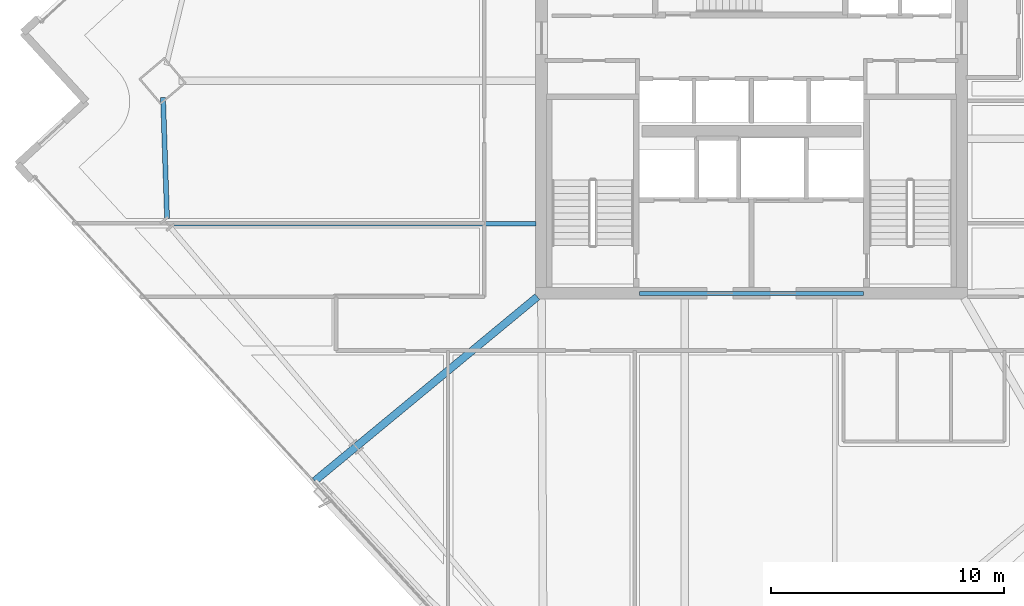
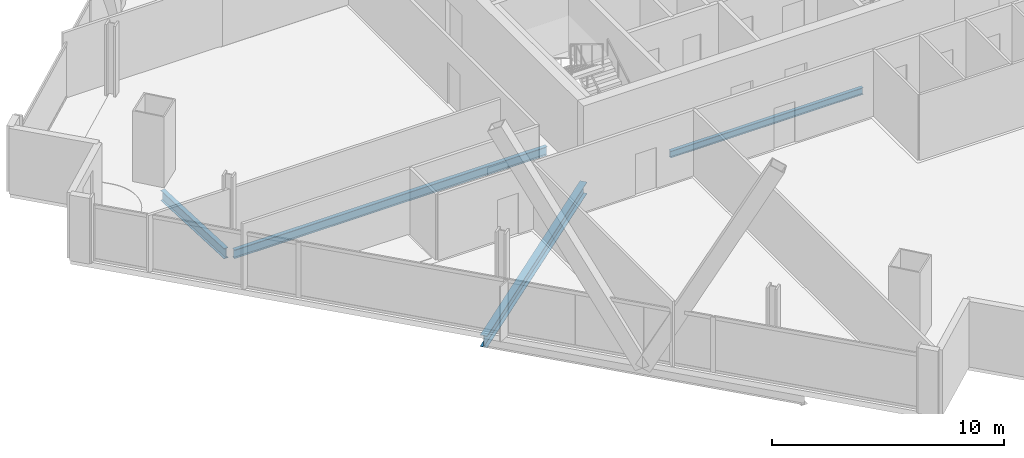
# One storey, part 5 of 32: 4 beams.
"""IFC4 building model written with IfcOpenShell, lengths in metres."""

from ifc_helpers import new_model, si_unit, direction, frame, origin, origin_2d, place, context, subcontext, project, spatial, i_section, extrude, material, material_profile, profile_set, type_object, element, save


model = new_model("IFC4")

# Units and contexts
model_context = context("Model", 3, precision=1e-05, world=origin(), true_north=direction((0.0, 1.0)))
body_context = subcontext(model_context, "Body", "Model", "MODEL_VIEW")
ifc_project = project(units=[si_unit("LENGTHUNIT", "METRE"), si_unit("AREAUNIT", "SQUARE_METRE"), si_unit("VOLUMEUNIT", "CUBIC_METRE"), si_unit("PLANEANGLEUNIT", "RADIAN"), si_unit("MASSUNIT", "GRAM", prefix="KILO")], contexts=[model_context])

# Site, building, storey
site_placement = place(None, origin())
site = spatial("IfcSite", under=ifc_project, at=site_placement, CompositionType="ELEMENT")
building_placement = place(site_placement, origin())
building = spatial("IfcBuilding", under=site, at=building_placement, Name="Haldenkirk Collegiate Tower", CompositionType="ELEMENT")
storey_placement = place(building_placement, frame((0.0, 0.0, 170.699951171875)))
storey = spatial("IfcBuildingStorey", under=building, at=storey_placement, Name="L42", CompositionType="ELEMENT", Elevation=170.699951171875)

# Beams
ifc_material = material(Name="Steel ASTM A992 Grade 50", Category="steel")
ifc_material_profile_1 = material_profile(ifc_material, i_section(OverallWidth=0.324951171875, OverallDepth=0.615966796875, WebThickness=0.013916015625, FlangeThickness=0.021484375, at=origin_2d()), Name="W24X117")
ifc_profile_set_1 = profile_set([ifc_material_profile_1], Name="Steel ASTM A992 Grade 50")
beam_type_1 = type_object("IfcBeamType", Name="BM-GIRDER-W24X117", PredefinedType="BEAM", material=ifc_profile_set_1)
beam_1_placement = place(storey_placement, frame((17.287353515625, 9.963134765625, -0.597900390625), z_axis=(0.770433409479, 0.637520479324, 0.0), x_axis=(-0.637520479324, 0.770433409479, 0.0)))
element("IfcBeam", 1, at=beam_1_placement, inside=storey, type_object=beam_type_1, Name="L42 primary floor girder 15", PredefinedType="BEAM", context=body_context, shape_type="SweptSolid", body=[
    extrude(i_section(OverallWidth=0.324951171875, OverallDepth=0.615966796875, WebThickness=0.013916015625, FlangeThickness=0.021484375, at=origin_2d()), origin(), (0.0, 0.0, 1.0), 12.376708984375),
])
ifc_material_profile_2 = material_profile(ifc_material, i_section(OverallWidth=0.18994140625, OverallDepth=0.45703125, WebThickness=0.009033203125, FlangeThickness=0.014404296875, at=origin_2d()), Name="W18X50")
ifc_profile_set_2 = profile_set([ifc_material_profile_2], Name="Steel ASTM A992 Grade 50")
beam_type_2 = type_object("IfcBeamType", Name="BM-JOIST-W18X50", PredefinedType="JOIST", material=ifc_profile_set_2)
beam_2_placement = place(storey_placement, frame((11.1923828125, 20.9833984375, -0.5185546875), z_axis=(1.0, 0.0, 0.0), x_axis=(0.0, 1.0, 0.0)))
element("IfcBeam", 2, at=beam_2_placement, inside=storey, type_object=beam_type_2, Name="L42 composite floor joist 14", PredefinedType="JOIST", context=body_context, shape_type="SweptSolid", body=[
    extrude(i_section(OverallWidth=0.18994140625, OverallDepth=0.45703125, WebThickness=0.009033203125, FlangeThickness=0.014404296875, at=origin_2d()), origin(), (0.0, 0.0, 1.0), 15.57763671875),
])
ifc_material_profile_3 = material_profile(ifc_material, i_section(OverallWidth=0.1708984375, OverallDepth=0.35595703125, WebThickness=0.007080078125, FlangeThickness=0.01171875, at=origin_2d()), Name="W14X34")
ifc_profile_set_3 = profile_set([ifc_material_profile_3], Name="Steel ASTM A992 Grade 50")
beam_type_3 = type_object("IfcBeamType", Name="BM-LINTEL-W14X34", PredefinedType="LINTEL", material=ifc_profile_set_3)
beam_3_placement = place(storey_placement, frame((31.199951171875, 18.0, -0.468017578125), z_axis=(1.0, 0.0, 0.0), x_axis=(0.0, 1.0, 0.0)))
element("IfcBeam", 3, at=beam_3_placement, inside=storey, type_object=beam_type_3, Name="L42 south core coupling lintel", PredefinedType="LINTEL", context=body_context, shape_type="SweptSolid", body=[
    extrude(i_section(OverallWidth=0.1708984375, OverallDepth=0.35595703125, WebThickness=0.007080078125, FlangeThickness=0.01171875, at=origin_2d()), origin(), (0.0, 0.0, 1.0), 9.60009765625),
])
ifc_material_profile_4 = material_profile(ifc_material, i_section(OverallWidth=0.2119140625, OverallDepth=0.5439453125, WebThickness=0.01318359375, FlangeThickness=0.021240234375, at=origin_2d()), Name="W21X83")
ifc_profile_set_4 = profile_set([ifc_material_profile_4], Name="Steel ASTM A992 Grade 50")
beam_type_4 = type_object("IfcBeamType", Name="BM-SPANDREL-W21X83", PredefinedType="SPANDREL", material=ifc_profile_set_4)
beam_4_placement = place(storey_placement, frame((10.7841796875, 26.399169921875, -0.56201171875), z_axis=(0.033072037576, -0.999452970545, 0.0), x_axis=(0.999452970545, 0.033072037576, 0.0)))
element("IfcBeam", 4, at=beam_4_placement, inside=storey, type_object=beam_type_4, Name="L42 perimeter spandrel beam 13", PredefinedType="SPANDREL", context=body_context, shape_type="SweptSolid", body=[
    extrude(i_section(OverallWidth=0.2119140625, OverallDepth=0.5439453125, WebThickness=0.01318359375, FlangeThickness=0.021240234375, at=origin_2d()), origin(), (0.0, 0.0, 1.0), 5.189697265625),
])

save(model, "model.ifc")
